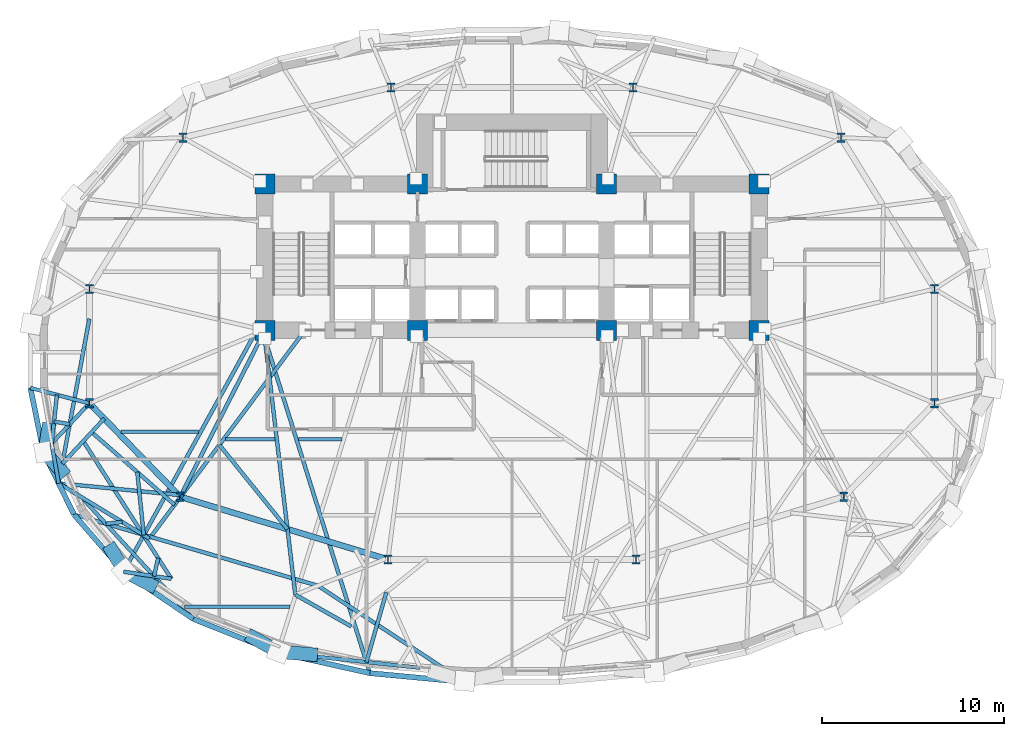
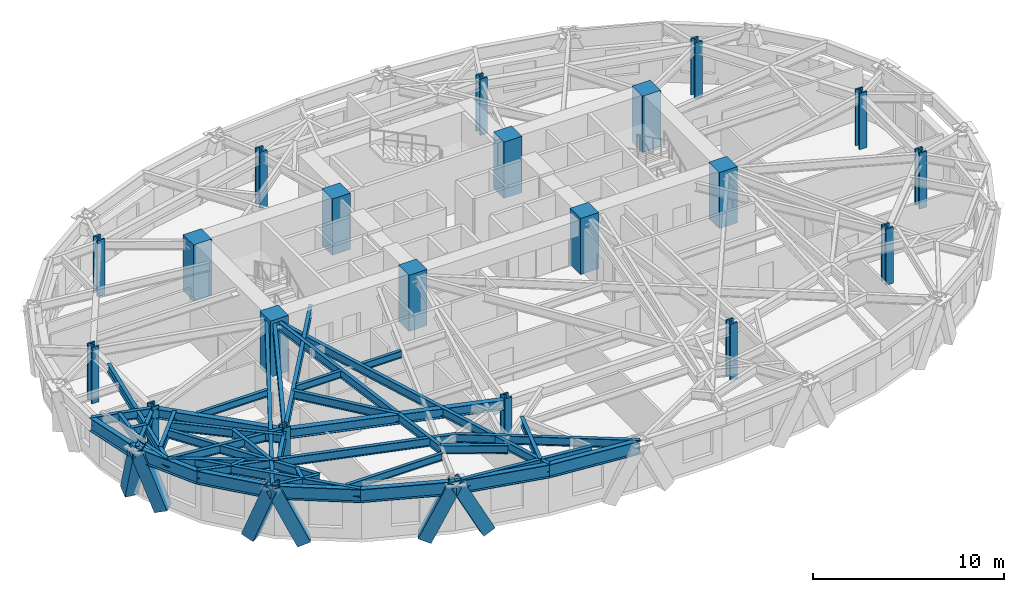
# One storey, part 1 of 13: 40 beams, 20 columns, 6 members.
"""IFC4 building model written with IfcOpenShell, lengths in metres."""

from ifc_helpers import new_model, si_unit, direction, frame, origin, origin_2d, place, context, subcontext, project, spatial, rectangle, hollow_rectangle, i_section, extrude, material, material_profile, profile_set, type_object, element, save


model = new_model("IFC4")

# Units and contexts
model_context = context("Model", 3, precision=1e-05, world=origin(), true_north=direction((0.0, 1.0)))
body_context = subcontext(model_context, "Body", "Model", "MODEL_VIEW")
ifc_project = project(units=[si_unit("LENGTHUNIT", "METRE"), si_unit("AREAUNIT", "SQUARE_METRE"), si_unit("VOLUMEUNIT", "CUBIC_METRE"), si_unit("PLANEANGLEUNIT", "RADIAN"), si_unit("MASSUNIT", "GRAM", prefix="KILO")], contexts=[model_context])

# Site, building, storey
site_placement = place(None, origin())
site = spatial("IfcSite", under=ifc_project, at=site_placement, CompositionType="ELEMENT")
building_placement = place(site_placement, origin())
building = spatial("IfcBuilding", under=site, at=building_placement, Name="Keldmark Tower", CompositionType="ELEMENT")
storey_placement = place(building_placement, frame((0.0, 0.0, 34.199951171875)))
storey = spatial("IfcBuildingStorey", under=building, at=storey_placement, Name="L08", CompositionType="ELEMENT", Elevation=34.199951171875)

# Columns
ifc_material_1 = material(Name="Concrete C70/85", Category="concrete")
ifc_material_profile_1 = material_profile(ifc_material_1, rectangle(XDim=1.10009765625, YDim=1.10009765625, at=origin_2d()), Name="RC1100X1100")
ifc_profile_set_1 = profile_set([ifc_material_profile_1], Name="Concrete C70/85")
column_type_1 = type_object("IfcColumnType", Name="Core Boundary Column RC1100", PredefinedType="COLUMN", material=ifc_profile_set_1)
for number, where, z_axis, x_axis, name in (
    (1, (-13.60009765625, 1.39990234375, 0.0), (0.0, 0.0, 1.0), (1.0, 0.0, 0.0), "L08 Core Boundary Column CC-W1"),
    (2, (-13.60009765625, 9.449951171875, 0.0), (0.0, 0.0, 1.0), (1.0, 0.0, 0.0), "L08 Core Boundary Column CC-W2"),
    (3, (-5.199951171875, 1.39990234375, 0.0), (0.0, 0.0, 1.0), (1.0, 0.0, 0.0), "L08 Core Boundary Column CC-W3"),
    (4, (-5.199951171875, 9.449951171875, 0.0), (0.0, 0.0, 1.0), (1.0, 0.0, 0.0), "L08 Core Boundary Column CC-W4"),
    (5, (5.199951171875, 1.39990234375, 0.0), (0.0, 0.0, 1.0), (1.0, 0.0, 0.0), "L08 Core Boundary Column CC-E1"),
    (6, (5.199951171875, 9.449951171875, 0.0), (0.0, 0.0, 1.0), (1.0, 0.0, 0.0), "L08 Core Boundary Column CC-E2"),
    (7, (13.60009765625, 1.39990234375, 0.0), (0.0, 0.0, 1.0), (1.0, 0.0, 0.0), "L08 Core Boundary Column CC-E3"),
    (8, (13.60009765625, 9.449951171875, 0.0), (0.0, 0.0, 1.0), (1.0, 0.0, 0.0), "L08 Core Boundary Column CC-E4"),
):
    element("IfcColumn", number, at=place(storey_placement, frame(where, z_axis=z_axis, x_axis=x_axis)), inside=storey, type_object=column_type_1, Name=name, PredefinedType="COLUMN", context=body_context, shape_type="SweptSolid", body=[
        extrude(rectangle(XDim=1.10009765625, YDim=1.10009765625, at=origin_2d()), origin(), (0.0, 0.0, 1.0), 3.60009765625),
    ])
ifc_material_2 = material(Name="Steel ASTM A992 Grade 50", Category="steel")
ifc_material_profile_2 = material_profile(ifc_material_2, i_section(OverallWidth=0.43701171875, OverallDepth=0.513916015625, WebThickness=0.060546875, FlangeThickness=0.096923828125, at=origin_2d()), Name="W14X550")
ifc_profile_set_2 = profile_set([ifc_material_profile_2], Name="Steel ASTM A992 Grade 50")
column_type_2 = type_object("IfcColumnType", Name="Tower Gravity Column W14X550", PredefinedType="COLUMN", material=ifc_profile_set_2)
for number, where, z_axis, x_axis, name in (
    (9, (23.25390625, 3.67724609375, 0.0), (0.0, 0.0, 1.0), (1.0, 0.0, 0.0), "L08 Tower Gravity Column TC-E1"),
    (10, (18.09765625, 12.00732421875, 0.0), (0.0, 0.0, 1.0), (1.0, 0.0, 0.0), "L08 Tower Gravity Column TC-E4"),
    (11, (6.6650390625, 14.760009765625, 0.0), (0.0, 0.0, 1.0), (1.0, 0.0, 0.0), "L08 Tower Gravity Column TC-N2"),
    (12, (-6.6650390625, 14.760009765625, 0.0), (0.0, 0.0, 1.0), (1.0, 0.0, 0.0), "L08 Tower Gravity Column TC-N1"),
    (13, (-18.09765625, 12.00732421875, 0.0), (0.0, 0.0, 1.0), (1.0, 0.0, 0.0), "L08 Tower Gravity Column TC-W4"),
    (14, (-23.25390625, 3.67724609375, 0.0), (0.0, 0.0, 1.0), (1.0, 0.0, 0.0), "L08 Tower Gravity Column TC-W1"),
    (15, (-23.25390625, -2.61328125, 0.0), (0.0, 0.0, 1.0), (1.0, 0.0, 0.0), "L08 Tower Gravity Column TC-W5"),
    (16, (-18.252685546875, -7.755615234375, 0.0), (0.0, 0.0, 1.0), (1.0, 0.0, 0.0), "L08 Tower Gravity Column TC-W2"),
    (17, (-6.822021484375, -11.205810546875, 0.0), (0.0, 0.0, 1.0), (1.0, 0.0, 0.0), "L08 Tower Gravity Column TC-W3"),
    (18, (6.822021484375, -11.205810546875, 0.0), (0.0, 0.0, 1.0), (1.0, 0.0, 0.0), "L08 Tower Gravity Column TC-E3"),
    (19, (18.252685546875, -7.755615234375, 0.0), (0.0, 0.0, 1.0), (1.0, 0.0, 0.0), "L08 Tower Gravity Column TC-E2"),
    (20, (23.25390625, -2.61328125, 0.0), (0.0, 0.0, 1.0), (1.0, 0.0, 0.0), "L08 Tower Gravity Column TC-E5"),
):
    element("IfcColumn", number, at=place(storey_placement, frame(where, z_axis=z_axis, x_axis=x_axis)), inside=storey, type_object=column_type_2, Name=name, PredefinedType="COLUMN", context=body_context, shape_type="SweptSolid", body=[
        extrude(i_section(OverallWidth=0.43701171875, OverallDepth=0.513916015625, WebThickness=0.060546875, FlangeThickness=0.096923828125, at=origin_2d()), origin(), (0.0, 0.0, 1.0), 3.60009765625),
    ])

# Beams
ifc_material_3 = material(Name="Steel ASTM A992 Grade 50", Category="steel")
ifc_material_profile_3 = material_profile(ifc_material_3, i_section(OverallWidth=0.19091796875, OverallDepth=0.45703125, WebThickness=0.009033203125, FlangeThickness=0.014404296875, at=origin_2d()), Name="W18X50")
ifc_profile_set_3 = profile_set([ifc_material_profile_3], Name="Steel ASTM A992 Grade 50")
beam_type_1 = type_object("IfcBeamType", Name="Composite Floor Joist W18X50", PredefinedType="JOIST", material=ifc_profile_set_3)
beam_1_placement = place(storey_placement, frame((-18.026611328125, -13.800048828125, 3.171630859375), z_axis=(1.0, 0.0, 0.0), x_axis=(0.0, 1.0, 0.0)))
element("IfcBeam", 21, at=beam_1_placement, inside=storey, type_object=beam_type_1, Name="L08 Composite Floor Joist J01", PredefinedType="JOIST", context=body_context, shape_type="SweptSolid", body=[
    extrude(i_section(OverallWidth=0.19091796875, OverallDepth=0.45703125, WebThickness=0.009033203125, FlangeThickness=0.014404296875, at=origin_2d()), origin(), (0.0, 0.0, 1.0), 5.822265625),
])
beam_2_placement = place(storey_placement, frame((-21.514892578125, -4.179931640625, 3.171630859375), z_axis=(1.0, 0.0, 0.0), x_axis=(0.0, 1.0, 0.0)))
element("IfcBeam", 22, at=beam_2_placement, inside=storey, type_object=beam_type_1, Name="L08 Composite Floor Joist J05", PredefinedType="JOIST", context=body_context, shape_type="SweptSolid", body=[
    extrude(i_section(OverallWidth=0.19091796875, OverallDepth=0.45703125, WebThickness=0.009033203125, FlangeThickness=0.014404296875, at=origin_2d()), origin(), (0.0, 0.0, 1.0), 4.278564453125),
])
beam_3_placement = place(storey_placement, frame((-15.753173828125, -4.60009765625, 3.171630859375), z_axis=(1.0, 0.0, 0.0), x_axis=(0.0, 1.0, 0.0)))
element("IfcBeam", 23, at=beam_3_placement, inside=storey, type_object=beam_type_1, Name="L08 Composite Floor Joist J06", PredefinedType="JOIST", context=body_context, shape_type="SweptSolid", body=[
    extrude(i_section(OverallWidth=0.19091796875, OverallDepth=0.45703125, WebThickness=0.009033203125, FlangeThickness=0.014404296875, at=origin_2d()), origin(), (0.0, 0.0, 1.0), 2.716796875),
])
beam_4_placement = place(storey_placement, frame((-11.75634765625, -4.60009765625, 3.171630859375), z_axis=(1.0, 0.0, 0.0), x_axis=(0.0, 1.0, 0.0)))
element("IfcBeam", 24, at=beam_4_placement, inside=storey, type_object=beam_type_1, Name="L08 Composite Floor Joist J07", PredefinedType="JOIST", context=body_context, shape_type="SweptSolid", body=[
    extrude(i_section(OverallWidth=0.19091796875, OverallDepth=0.45703125, WebThickness=0.009033203125, FlangeThickness=0.014404296875, at=origin_2d()), origin(), (0.0, 0.0, 1.0), 2.39453125),
])

# Members
ifc_material_4 = material(Name="Steel ASTM A572 Grade 50", Category="steel")
ifc_material_profile_4 = material_profile(ifc_material_4, hollow_rectangle(XDim=0.75, YDim=0.75, WallThickness=0.06494140625, at=origin_2d()), Name="BOX750X750X65")
ifc_profile_set_4 = profile_set([ifc_material_profile_4], Name="Steel ASTM A572 Grade 50")
member_type = type_object("IfcMemberType", Name="Diagrid Lower Brace BOX750X750X65", PredefinedType="BRACE", material=ifc_profile_set_4)
member_1_placement = place(storey_placement, frame((-25.513427734375, -4.046142578125, -0.280029296875), z_axis=(-0.053655375719, -0.32943107791, 0.942653841855), x_axis=(0.986994409179, -0.160754583913, 0.0)))
element("IfcMember", 25, at=member_1_placement, inside=storey, type_object=member_type, Name="L08 Perimeter Diagrid Brace 09A", PredefinedType="BRACE", context=body_context, shape_type="SweptSolid", body=[
    extrude(hollow_rectangle(XDim=0.75, YDim=0.75, WallThickness=0.06494140625, at=origin_2d()), origin(), (0.0, 0.0, 1.0), 3.776611328125),
])
member_2_placement = place(storey_placement, frame((-24.79833984375, -6.33251953125, -0.280029296875), z_axis=(-0.240502819307, 0.275480405554, 0.930735698284), x_axis=(-0.753311452959, -0.657663937616, 0.0)))
element("IfcMember", 26, at=member_2_placement, inside=storey, type_object=member_type, Name="L08 Perimeter Diagrid Brace 09B", PredefinedType="BRACE", context=body_context, shape_type="SweptSolid", body=[
    extrude(hollow_rectangle(XDim=0.75, YDim=0.75, WallThickness=0.06494140625, at=origin_2d()), origin(), (0.0, 0.0, 1.0), 3.824951171875),
])
member_3_placement = place(storey_placement, frame((-22.02294921875, -10.70166015625, -0.280029296875), z_axis=(0.185266492709, -0.302044022382, 0.935118032776), x_axis=(0.852421726762, 0.522854855332, 0.0)))
element("IfcMember", 27, at=member_3_placement, inside=storey, type_object=member_type, Name="L08 Perimeter Diagrid Brace 10A", PredefinedType="BRACE", context=body_context, shape_type="SweptSolid", body=[
    extrude(hollow_rectangle(XDim=0.75, YDim=0.75, WallThickness=0.06494140625, at=origin_2d()), origin(), (0.0, 0.0, 1.0), 3.80712890625),
])
member_4_placement = place(storey_placement, frame((-19.884765625, -12.601806640625, -0.280029296875), z_axis=(-0.367719203719, 0.194150251218, 0.909443932944), x_axis=(-0.466901990353, -0.884309070068, 0.0)))
element("IfcMember", 28, at=member_4_placement, inside=storey, type_object=member_type, Name="L08 Perimeter Diagrid Brace 10B", PredefinedType="BRACE", context=body_context, shape_type="SweptSolid", body=[
    extrude(hollow_rectangle(XDim=0.75, YDim=0.75, WallThickness=0.06494140625, at=origin_2d()), origin(), (0.0, 0.0, 1.0), 3.91455078125),
])
member_5_placement = place(storey_placement, frame((-14.2529296875, -15.498291015625, -0.280029296875), z_axis=(0.359854750653, -0.200703847733, 0.911165475607), x_axis=(0.487097232417, 0.873347746417, 0.0)))
element("IfcMember", 29, at=member_5_placement, inside=storey, type_object=member_type, Name="L08 Perimeter Diagrid Brace 11A", PredefinedType="BRACE", context=body_context, shape_type="SweptSolid", body=[
    extrude(hollow_rectangle(XDim=0.75, YDim=0.75, WallThickness=0.06494140625, at=origin_2d()), origin(), (0.0, 0.0, 1.0), 3.9072265625),
])
member_6_placement = place(storey_placement, frame((-11.02880859375, -16.43310546875, -0.280029296875), z_axis=(-0.456401695328, 0.039257738986, 0.88890737562), x_axis=(-0.085699312673, -0.996321046554, 0.0)))
element("IfcMember", 30, at=member_6_placement, inside=storey, type_object=member_type, Name="L08 Perimeter Diagrid Brace 11B", PredefinedType="BRACE", context=body_context, shape_type="SweptSolid", body=[
    extrude(hollow_rectangle(XDim=0.75, YDim=0.75, WallThickness=0.06494140625, at=origin_2d()), origin(), (0.0, 0.0, 1.0), 4.0048828125),
])

# Beams
ifc_material_5 = material(Name="Steel ASTM A992 Grade 50", Category="steel")
ifc_material_profile_5 = material_profile(ifc_material_5, i_section(OverallWidth=0.323974609375, OverallDepth=0.611083984375, WebThickness=0.0126953125, FlangeThickness=0.01904296875, at=origin_2d()), Name="W24X104")
ifc_profile_set_5 = profile_set([ifc_material_profile_5], Name="Steel ASTM A992 Grade 50")
beam_type_2 = type_object("IfcBeamType", Name="Primary Floor Girder W24X104", PredefinedType="BEAM", material=ifc_profile_set_5)
beam_5_placement = place(storey_placement, frame((-23.156494140625, -2.713623046875, 3.094482421875), z_axis=(0.697210382268, -0.716866572563, 0.0), x_axis=(0.716866572563, 0.697210382268, 0.0)))
element("IfcBeam", 31, at=beam_5_placement, inside=storey, type_object=beam_type_2, Name="L08 Floor Ring Girder FG-R07", PredefinedType="BEAM", context=body_context, shape_type="SweptSolid", body=[
    extrude(i_section(OverallWidth=0.323974609375, OverallDepth=0.611083984375, WebThickness=0.0126953125, FlangeThickness=0.01904296875, at=origin_2d()), origin(), (0.0, 0.0, 1.0), 6.893310546875),
])
beam_6_placement = place(storey_placement, frame((-18.118896484375, -7.796142578125, 3.094482421875), z_axis=(0.957346071406, -0.2889437654, 0.0), x_axis=(0.2889437654, 0.957346071406, 0.0)))
element("IfcBeam", 32, at=beam_6_placement, inside=storey, type_object=beam_type_2, Name="L08 Floor Ring Girder FG-R08", PredefinedType="BEAM", context=body_context, shape_type="SweptSolid", body=[
    extrude(i_section(OverallWidth=0.323974609375, OverallDepth=0.611083984375, WebThickness=0.0126953125, FlangeThickness=0.01904296875, at=origin_2d()), origin(), (0.0, 0.0, 1.0), 11.66015625),
])
ifc_material_6 = material(Name="Steel ASTM A992 Grade 50", Category="steel")
ifc_material_profile_6 = material_profile(ifc_material_6, i_section(OverallWidth=0.2099609375, OverallDepth=0.537109375, WebThickness=0.010986328125, FlangeThickness=0.017333984375, at=origin_2d()), Name="W21X68")
ifc_profile_set_6 = profile_set([ifc_material_profile_6], Name="Steel ASTM A992 Grade 50")
beam_type_3 = type_object("IfcBeamType", Name="Radial Tie Girder W21X68", PredefinedType="BEAM", material=ifc_profile_set_6)
beam_7_placement = place(storey_placement, frame((-23.25390625, -2.61328125, 3.131591796875), z_axis=(-0.967609532619, 0.252451564434, 0.0), x_axis=(-0.252451564434, -0.967609532619, 0.0)))
element("IfcBeam", 33, at=beam_7_placement, inside=storey, type_object=beam_type_3, Name="L08 Perimeter Column Bracket RT-17", PredefinedType="BEAM", context=body_context, shape_type="SweptSolid", body=[
    extrude(i_section(OverallWidth=0.2099609375, OverallDepth=0.537109375, WebThickness=0.010986328125, FlangeThickness=0.017333984375, at=origin_2d()), origin(), (0.0, 0.0, 1.0), 3.349853515625),
])
beam_8_placement = place(storey_placement, frame((-23.25390625, -2.61328125, 3.131591796875), z_axis=(-0.684853685662, -0.728680608522, 0.0), x_axis=(0.728680608522, -0.684853685662, 0.0)))
element("IfcBeam", 34, at=beam_8_placement, inside=storey, type_object=beam_type_3, Name="L08 Perimeter Column Bracket RT-18", PredefinedType="BEAM", context=body_context, shape_type="SweptSolid", body=[
    extrude(i_section(OverallWidth=0.2099609375, OverallDepth=0.537109375, WebThickness=0.010986328125, FlangeThickness=0.017333984375, at=origin_2d()), origin(), (0.0, 0.0, 1.0), 3.68212890625),
])
beam_9_placement = place(storey_placement, frame((-25.03662109375, -2.148193359375, 3.131591796875), z_axis=(-0.108697147108, -0.99407491177, 0.0), x_axis=(0.99407491177, -0.108697147108, 0.0)))
element("IfcBeam", 35, at=beam_9_placement, inside=storey, type_object=beam_type_3, Name="L08 Framing Pin Header PH-011", PredefinedType="BEAM", context=body_context, shape_type="SweptSolid", body=[
    extrude(i_section(OverallWidth=0.2099609375, OverallDepth=0.537109375, WebThickness=0.010986328125, FlangeThickness=0.017333984375, at=origin_2d()), origin(), (0.0, 0.0, 1.0), 2.6884765625),
])
beam_10_placement = place(storey_placement, frame((-25.197509765625, -3.6181640625, 3.131591796875), z_axis=(0.986059915929, -0.16639063134, 0.0), x_axis=(0.16639063134, 0.986059915929, 0.0)))
element("IfcBeam", 36, at=beam_10_placement, inside=storey, type_object=beam_type_3, Name="L08 Framing Pin Header PH-012", PredefinedType="BEAM", context=body_context, shape_type="SweptSolid", body=[
    extrude(i_section(OverallWidth=0.2099609375, OverallDepth=0.537109375, WebThickness=0.010986328125, FlangeThickness=0.017333984375, at=origin_2d()), origin(), (0.0, 0.0, 1.0), 0.87451171875),
])
beam_11_placement = place(storey_placement, frame((-23.25390625, 2.03466796875, 3.131591796875), z_axis=(-0.183314584295, -0.983054303274, 0.0), x_axis=(0.983054303274, -0.183314584295, 0.0)))
element("IfcBeam", 37, at=beam_11_placement, inside=storey, type_object=beam_type_3, Name="L08 Intermediate Radial Step Girder RT-19M", PredefinedType="BEAM", context=body_context, shape_type="SweptSolid", body=[
    extrude(i_section(OverallWidth=0.2099609375, OverallDepth=0.537109375, WebThickness=0.010986328125, FlangeThickness=0.017333984375, at=origin_2d()), origin(), (0.0, 0.0, 1.0), 9.202880859375),
])
beam_12_placement = place(storey_placement, frame((-25.328857421875, -4.82080078125, 3.131591796875), z_axis=(0.174317255189, -0.984689542213, 0.0), x_axis=(0.984689542213, 0.174317255189, 0.0)))
element("IfcBeam", 38, at=beam_12_placement, inside=storey, type_object=beam_type_3, Name="L08 Local Collector Chord RT-19C", PredefinedType="BEAM", context=body_context, shape_type="SweptSolid", body=[
    extrude(i_section(OverallWidth=0.2099609375, OverallDepth=0.537109375, WebThickness=0.010986328125, FlangeThickness=0.017333984375, at=origin_2d()), origin(), (0.0, 0.0, 1.0), 2.2255859375),
])
beam_13_placement = place(storey_placement, frame((-22.435546875, -3.454833984375, 3.131591796875), z_axis=(-0.680177536016, -0.73304741968, 0.0), x_axis=(0.73304741968, -0.680177536016, 0.0)))
element("IfcBeam", 39, at=beam_13_placement, inside=storey, type_object=beam_type_3, Name="L08 Framing Pin Header PH-013", PredefinedType="BEAM", context=body_context, shape_type="SweptSolid", body=[
    extrude(i_section(OverallWidth=0.2099609375, OverallDepth=0.537109375, WebThickness=0.010986328125, FlangeThickness=0.017333984375, at=origin_2d()), origin(), (0.0, 0.0, 1.0), 3.389404296875),
])
beam_14_placement = place(storey_placement, frame((-23.127197265625, -4.2001953125, 3.131591796875), z_axis=(0.752344879447, -0.658769445535, 0.0), x_axis=(0.658769445535, 0.752344879447, 0.0)))
element("IfcBeam", 40, at=beam_14_placement, inside=storey, type_object=beam_type_3, Name="L08 Framing Pin Header PH-014", PredefinedType="BEAM", context=body_context, shape_type="SweptSolid", body=[
    extrude(i_section(OverallWidth=0.2099609375, OverallDepth=0.537109375, WebThickness=0.010986328125, FlangeThickness=0.017333984375, at=origin_2d()), origin(), (0.0, 0.0, 1.0), 6.068603515625),
])
beam_15_placement = place(storey_placement, frame((-11.392822265625, 1.39990234375, 3.131591796875), z_axis=(-0.598411569369, -0.801188862656, 0.0), x_axis=(0.801188862656, -0.598411569369, 0.0)))
element("IfcBeam", 41, at=beam_15_placement, inside=storey, type_object=beam_type_3, Name="L08 Intermediate Radial Step Girder RT-20M", PredefinedType="BEAM", context=body_context, shape_type="SweptSolid", body=[
    extrude(i_section(OverallWidth=0.2099609375, OverallDepth=0.537109375, WebThickness=0.010986328125, FlangeThickness=0.017333984375, at=origin_2d()), origin(), (0.0, 0.0, 1.0), 14.298583984375),
])
beam_16_placement = place(storey_placement, frame((-24.94091796875, -7.01220703125, 3.131591796875), z_axis=(0.853797533944, -0.520605196893, 0.0), x_axis=(0.520605196893, 0.853797533944, 0.0)))
element("IfcBeam", 42, at=beam_16_placement, inside=storey, type_object=beam_type_3, Name="L08 Local Collector Chord RT-20C", PredefinedType="BEAM", context=body_context, shape_type="SweptSolid", body=[
    extrude(i_section(OverallWidth=0.2099609375, OverallDepth=0.537109375, WebThickness=0.010986328125, FlangeThickness=0.017333984375, at=origin_2d()), origin(), (0.0, 0.0, 1.0), 5.846435546875),
])
beam_17_placement = place(storey_placement, frame((-20.6162109375, -6.39892578125, 3.131591796875), z_axis=(0.10205552539, -0.994778703902, 0.0), x_axis=(0.994778703902, 0.10205552539, 0.0)))
element("IfcBeam", 43, at=beam_17_placement, inside=storey, type_object=beam_type_3, Name="L08 Framing Pin Header PH-015", PredefinedType="BEAM", context=body_context, shape_type="SweptSolid", body=[
    extrude(i_section(OverallWidth=0.2099609375, OverallDepth=0.537109375, WebThickness=0.010986328125, FlangeThickness=0.017333984375, at=origin_2d()), origin(), (0.0, 0.0, 1.0), 3.485595703125),
])
beam_18_placement = place(storey_placement, frame((-14.050048828125, 1.39990234375, 3.131591796875), z_axis=(-0.482762779236, -0.875751162708, 0.0), x_axis=(0.875751162708, -0.482762779236, 0.0)))
element("IfcBeam", 44, at=beam_18_placement, inside=storey, type_object=beam_type_3, Name="L08 Perimeter Radial Tie Girder RT-20", PredefinedType="BEAM", context=body_context, shape_type="SweptSolid", body=[
    extrude(i_section(OverallWidth=0.2099609375, OverallDepth=0.537109375, WebThickness=0.010986328125, FlangeThickness=0.017333984375, at=origin_2d()), origin(), (0.0, 0.0, 1.0), 15.163818359375),
])
beam_19_placement = place(storey_placement, frame((-23.58837890625, -4.697021484375, 3.131591796875), z_axis=(0.539106117919, -0.842237848605, 0.0), x_axis=(0.842237848605, 0.539106117919, 0.0)))
element("IfcBeam", 45, at=beam_19_placement, inside=storey, type_object=beam_type_3, Name="L08 Intermediate Radial Step Girder RT-21M", PredefinedType="BEAM", context=body_context, shape_type="SweptSolid", body=[
    extrude(i_section(OverallWidth=0.2099609375, OverallDepth=0.537109375, WebThickness=0.010986328125, FlangeThickness=0.017333984375, at=origin_2d()), origin(), (0.0, 0.0, 1.0), 8.986572265625),
])
beam_20_placement = place(storey_placement, frame((-21.37060546875, -11.8798828125, 3.131591796875), z_axis=(0.989377035063, -0.145372220487, 0.0), x_axis=(0.145372220487, 0.989377035063, 0.0)))
element("IfcBeam", 46, at=beam_20_placement, inside=storey, type_object=beam_type_3, Name="L08 Local Collector Chord RT-21C", PredefinedType="BEAM", context=body_context, shape_type="SweptSolid", body=[
    extrude(i_section(OverallWidth=0.2099609375, OverallDepth=0.537109375, WebThickness=0.010986328125, FlangeThickness=0.017333984375, at=origin_2d()), origin(), (0.0, 0.0, 1.0), 2.6552734375),
])
beam_21_placement = place(storey_placement, frame((-19.470458984375, -11.130615234375, 3.131591796875), z_axis=(-0.221031727887, -0.975266617529, 0.0), x_axis=(0.975266617529, -0.221031727887, 0.0)))
element("IfcBeam", 47, at=beam_21_placement, inside=storey, type_object=beam_type_3, Name="L08 Framing Pin Header PH-016", PredefinedType="BEAM", context=body_context, shape_type="SweptSolid", body=[
    extrude(i_section(OverallWidth=0.2099609375, OverallDepth=0.537109375, WebThickness=0.010986328125, FlangeThickness=0.017333984375, at=origin_2d()), origin(), (0.0, 0.0, 1.0), 1.0205078125),
])
beam_22_placement = place(storey_placement, frame((-23.693115234375, -7.77294921875, 3.131591796875), z_axis=(0.676363415101, -0.736568076088, 0.0), x_axis=(0.736568076088, 0.676363415101, 0.0)))
element("IfcBeam", 48, at=beam_22_placement, inside=storey, type_object=beam_type_3, Name="L08 Perimeter Radial Tie Girder RT-21", PredefinedType="BEAM", context=body_context, shape_type="SweptSolid", body=[
    extrude(i_section(OverallWidth=0.2099609375, OverallDepth=0.537109375, WebThickness=0.010986328125, FlangeThickness=0.017333984375, at=origin_2d()), origin(), (0.0, 0.0, 1.0), 9.099853515625),
])
beam_23_placement = place(storey_placement, frame((-16.098876953125, -4.900634765625, 3.131591796875), z_axis=(0.628553500628, -0.777766351064, 0.0), x_axis=(0.777766351064, 0.628553500628, 0.0)))
element("IfcBeam", 49, at=beam_23_placement, inside=storey, type_object=beam_type_3, Name="L08 Framing Pin Header PH-017", PredefinedType="BEAM", context=body_context, shape_type="SweptSolid", body=[
    extrude(i_section(OverallWidth=0.2099609375, OverallDepth=0.537109375, WebThickness=0.010986328125, FlangeThickness=0.017333984375, at=origin_2d()), origin(), (0.0, 0.0, 1.0), 5.960693359375),
])
beam_24_placement = place(storey_placement, frame((-13.60009765625, 0.949951171875, 3.131591796875), z_axis=(0.118148674811, -0.992995916729, 0.0), x_axis=(0.992995916729, 0.118148674811, 0.0)))
element("IfcBeam", 50, at=beam_24_placement, inside=storey, type_object=beam_type_3, Name="L08 Intermediate Radial Step Girder RT-22M", PredefinedType="BEAM", context=body_context, shape_type="SweptSolid", body=[
    extrude(i_section(OverallWidth=0.2099609375, OverallDepth=0.537109375, WebThickness=0.010986328125, FlangeThickness=0.017333984375, at=origin_2d()), origin(), (0.0, 0.0, 1.0), 14.19189453125),
])
beam_25_placement = place(storey_placement, frame((-11.92333984375, -13.142578125, 3.131591796875), z_axis=(0.869773832588, -0.493450585313, 0.0), x_axis=(0.493450585313, 0.869773832588, 0.0)))
element("IfcBeam", 51, at=beam_25_placement, inside=storey, type_object=beam_type_3, Name="L08 Local Collector Chord RT-23C", PredefinedType="BEAM", context=body_context, shape_type="SweptSolid", body=[
    extrude(i_section(OverallWidth=0.2099609375, OverallDepth=0.537109375, WebThickness=0.010986328125, FlangeThickness=0.017333984375, at=origin_2d()), origin(), (0.0, 0.0, 1.0), 3.54345703125),
])
beam_26_placement = place(storey_placement, frame((-13.60009765625, 0.949951171875, 3.131591796875), z_axis=(0.299595959149, -0.954066172371, 0.0), x_axis=(0.954066172371, 0.299595959149, 0.0)))
element("IfcBeam", 52, at=beam_26_placement, inside=storey, type_object=beam_type_3, Name="L08 Perimeter Radial Tie Girder RT-23", PredefinedType="BEAM", context=body_context, shape_type="SweptSolid", body=[
    extrude(i_section(OverallWidth=0.2099609375, OverallDepth=0.537109375, WebThickness=0.010986328125, FlangeThickness=0.017333984375, at=origin_2d()), origin(), (0.0, 0.0, 1.0), 19.2958984375),
])
beam_27_placement = place(storey_placement, frame((-24.94091796875, -7.01220703125, 3.131591796875), z_axis=(0.995273417199, -0.097112434929, 0.0), x_axis=(0.097112434929, 0.995273417199, 0.0)))
element("IfcBeam", 53, at=beam_27_placement, inside=storey, type_object=beam_type_3, Name="L08 Straddling Support Chord RT-19RB", PredefinedType="BEAM", context=body_context, shape_type="SweptSolid", body=[
    extrude(i_section(OverallWidth=0.2099609375, OverallDepth=0.537109375, WebThickness=0.010986328125, FlangeThickness=0.017333984375, at=origin_2d()), origin(), (0.0, 0.0, 1.0), 6.621826171875),
])
beam_28_placement = place(storey_placement, frame((-21.44677734375, -9.142822265625, 3.131591796875), z_axis=(-0.993857307777, -0.110669109415, 0.0), x_axis=(0.110669109415, -0.993857307777, 0.0)))
element("IfcBeam", 54, at=beam_28_placement, inside=storey, type_object=beam_type_3, Name="L08 Framing Pin Header PH-027", PredefinedType="BEAM", context=body_context, shape_type="SweptSolid", body=[
    extrude(i_section(OverallWidth=0.2099609375, OverallDepth=0.537109375, WebThickness=0.010986328125, FlangeThickness=0.017333984375, at=origin_2d()), origin(), (0.0, 0.0, 1.0), 0.90234375),
])
beam_29_placement = place(storey_placement, frame((-10.681640625, -12.648193359375, 3.131591796875), z_axis=(-0.959905510264, 0.280323761686, 0.0), x_axis=(-0.280323761686, -0.959905510264, 0.0)))
element("IfcBeam", 55, at=beam_29_placement, inside=storey, type_object=beam_type_3, Name="L08 Perimeter Radial Tie Girder RT-19R", PredefinedType="BEAM", context=body_context, shape_type="SweptSolid", body=[
    extrude(i_section(OverallWidth=0.2099609375, OverallDepth=0.537109375, WebThickness=0.010986328125, FlangeThickness=0.017333984375, at=origin_2d()), origin(), (0.0, 0.0, 1.0), 13.9853515625),
])
beam_30_placement = place(storey_placement, frame((-6.91748046875, -13.0146484375, 3.131591796875), z_axis=(-0.274082299269, -0.96170624061, 0.0), x_axis=(0.96170624061, -0.274082299269, 0.0)))
element("IfcBeam", 56, at=beam_30_placement, inside=storey, type_object=beam_type_3, Name="L08 Framing Pin Header PH-028", PredefinedType="BEAM", context=body_context, shape_type="SweptSolid", body=[
    extrude(i_section(OverallWidth=0.2099609375, OverallDepth=0.537109375, WebThickness=0.010986328125, FlangeThickness=0.017333984375, at=origin_2d()), origin(), (0.0, 0.0, 1.0), 3.988037109375),
])
beam_31_placement = place(storey_placement, frame((-12.885009765625, -16.328857421875, 3.131591796875), z_axis=(0.994337282486, -0.106270262347, 0.0), x_axis=(0.106270262347, 0.994337282486, 0.0)))
element("IfcBeam", 57, at=beam_31_placement, inside=storey, type_object=beam_type_3, Name="L08 Crown Step Radial Girder RT-24RN1", PredefinedType="BEAM", context=body_context, shape_type="SweptSolid", body=[
    extrude(i_section(OverallWidth=0.2099609375, OverallDepth=0.537109375, WebThickness=0.010986328125, FlangeThickness=0.017333984375, at=origin_2d()), origin(), (0.0, 0.0, 1.0), 7.870849609375),
])
beam_32_placement = place(storey_placement, frame((-10.681640625, -12.648193359375, 3.131591796875), z_axis=(0.83597360368, -0.548769654728, 0.0), x_axis=(0.548769654728, 0.83597360368, 0.0)))
element("IfcBeam", 58, at=beam_32_placement, inside=storey, type_object=beam_type_3, Name="L08 Perimeter Radial Tie Girder RT-24R", PredefinedType="BEAM", context=body_context, shape_type="SweptSolid", body=[
    extrude(i_section(OverallWidth=0.2099609375, OverallDepth=0.537109375, WebThickness=0.010986328125, FlangeThickness=0.017333984375, at=origin_2d()), origin(), (0.0, 0.0, 1.0), 9.65576171875),
])
ifc_material_7 = material(Name="Steel ASTM A992 Grade 50", Category="steel")
ifc_material_profile_7 = material_profile(ifc_material_7, i_section(OverallWidth=0.214111328125, OverallDepth=0.549072265625, WebThickness=0.0146484375, FlangeThickness=0.023681640625, at=origin_2d()), Name="W21X93")
ifc_profile_set_7 = profile_set([ifc_material_profile_7], Name="Steel ASTM A992 Grade 50")
beam_type_4 = type_object("IfcBeamType", Name="Radial Tie Girder W21X93", PredefinedType="BEAM", material=ifc_profile_set_7)
beam_33_placement = place(storey_placement, frame((-18.189453125, -7.630859375, 3.12548828125), z_axis=(0.453037526986, 0.891491446478, 0.0), x_axis=(-0.891491446478, 0.453037526986, 0.0)))
element("IfcBeam", 59, at=beam_33_placement, inside=storey, type_object=beam_type_4, Name="L08 Floor Radial Girder FG-C08", PredefinedType="BEAM", context=body_context, shape_type="SweptSolid", body=[
    extrude(i_section(OverallWidth=0.214111328125, OverallDepth=0.549072265625, WebThickness=0.0146484375, FlangeThickness=0.023681640625, at=origin_2d()), origin(), (0.0, 0.0, 1.0), 9.81005859375),
])
ifc_material_8 = material(Name="Steel ASTM A992 Grade 50", Category="steel")
ifc_material_profile_8 = material_profile(ifc_material_8, i_section(OverallWidth=0.2919921875, OverallDepth=0.85888671875, WebThickness=0.01708984375, FlangeThickness=0.031005859375, at=origin_2d()), Name="W33X169")
ifc_profile_set_8 = profile_set([ifc_material_profile_8], Name="Steel ASTM A992 Grade 50")
beam_type_5 = type_object("IfcBeamType", Name="Spandrel Ring Beam W33X169", PredefinedType="SPANDREL", material=ifc_profile_set_8)
beam_34_placement = place(storey_placement, frame((-26.495361328125, -1.767578125, 2.970458984375), z_axis=(0.199843134177, -0.979827904135, 0.0), x_axis=(0.979827904135, 0.199843134177, 0.0)))
element("IfcBeam", 60, at=beam_34_placement, inside=storey, type_object=beam_type_5, Name="L08 Perimeter Spandrel Ring Beam SRB-17", PredefinedType="SPANDREL", context=body_context, shape_type="SweptSolid", body=[
    extrude(i_section(OverallWidth=0.2919921875, OverallDepth=0.85888671875, WebThickness=0.01708984375, FlangeThickness=0.031005859375, at=origin_2d()), origin(), (0.0, 0.0, 1.0), 3.6015625),
])
beam_35_placement = place(storey_placement, frame((-25.775634765625, -5.29638671875, 2.970458984375), z_axis=(0.437488090563, -0.899224204865, 0.0), x_axis=(0.899224204865, 0.437488090563, 0.0)))
element("IfcBeam", 61, at=beam_35_placement, inside=storey, type_object=beam_type_5, Name="L08 Perimeter Spandrel Ring Beam SRB-18", PredefinedType="SPANDREL", context=body_context, shape_type="SweptSolid", body=[
    extrude(i_section(OverallWidth=0.2919921875, OverallDepth=0.85888671875, WebThickness=0.01708984375, FlangeThickness=0.031005859375, at=origin_2d()), origin(), (0.0, 0.0, 1.0), 3.81591796875),
])
beam_36_placement = place(storey_placement, frame((-24.106201171875, -8.727783203125, 2.970458984375), z_axis=(0.655447050027, -0.755241130111, 0.0), x_axis=(0.755241130111, 0.655447050027, 0.0)))
element("IfcBeam", 62, at=beam_36_placement, inside=storey, type_object=beam_type_5, Name="L08 Perimeter Spandrel Ring Beam SRB-19", PredefinedType="SPANDREL", context=body_context, shape_type="SweptSolid", body=[
    extrude(i_section(OverallWidth=0.2919921875, OverallDepth=0.85888671875, WebThickness=0.01708984375, FlangeThickness=0.031005859375, at=origin_2d()), origin(), (0.0, 0.0, 1.0), 4.173583984375),
])
beam_37_placement = place(storey_placement, frame((-21.37060546875, -11.8798828125, 2.970458984375), z_axis=(0.827954241597, -0.560795661379, 0.0), x_axis=(0.560795661379, 0.827954241597, 0.0)))
element("IfcBeam", 63, at=beam_37_placement, inside=storey, type_object=beam_type_5, Name="L08 Perimeter Spandrel Ring Beam SRB-20", PredefinedType="SPANDREL", context=body_context, shape_type="SweptSolid", body=[
    extrude(i_section(OverallWidth=0.2919921875, OverallDepth=0.85888671875, WebThickness=0.01708984375, FlangeThickness=0.031005859375, at=origin_2d()), origin(), (0.0, 0.0, 1.0), 4.628662109375),
])
beam_38_placement = place(storey_placement, frame((-17.538330078125, -14.4755859375, 2.970458984375), z_axis=(0.929030310441, -0.370003624688, 0.0), x_axis=(0.370003624688, 0.929030310441, 0.0)))
element("IfcBeam", 64, at=beam_38_placement, inside=storey, type_object=beam_type_5, Name="L08 Perimeter Spandrel Ring Beam SRB-21", PredefinedType="SPANDREL", context=body_context, shape_type="SweptSolid", body=[
    extrude(i_section(OverallWidth=0.2919921875, OverallDepth=0.85888671875, WebThickness=0.01708984375, FlangeThickness=0.031005859375, at=origin_2d()), origin(), (0.0, 0.0, 1.0), 5.0087890625),
])
beam_39_placement = place(storey_placement, frame((-12.885009765625, -16.328857421875, 2.970458984375), z_axis=(0.97597854999, -0.217866633424, 0.0), x_axis=(0.217866633424, 0.97597854999, 0.0)))
element("IfcBeam", 65, at=beam_39_placement, inside=storey, type_object=beam_type_5, Name="L08 Perimeter Spandrel Ring Beam SRB-22", PredefinedType="SPANDREL", context=body_context, shape_type="SweptSolid", body=[
    extrude(i_section(OverallWidth=0.2919921875, OverallDepth=0.85888671875, WebThickness=0.01708984375, FlangeThickness=0.031005859375, at=origin_2d()), origin(), (0.0, 0.0, 1.0), 5.190673828125),
])
beam_40_placement = place(storey_placement, frame((-7.819091796875, -17.459716796875, 2.970458984375), z_axis=(0.995653447503, -0.093135452302, 0.0), x_axis=(0.093135452302, 0.995653447503, 0.0)))
element("IfcBeam", 66, at=beam_40_placement, inside=storey, type_object=beam_type_5, Name="L08 Perimeter Spandrel Ring Beam SRB-23", PredefinedType="SPANDREL", context=body_context, shape_type="SweptSolid", body=[
    extrude(i_section(OverallWidth=0.2919921875, OverallDepth=0.85888671875, WebThickness=0.01708984375, FlangeThickness=0.031005859375, at=origin_2d()), origin(), (0.0, 0.0, 1.0), 5.232177734375),
])

save(model, "model.ifc")
